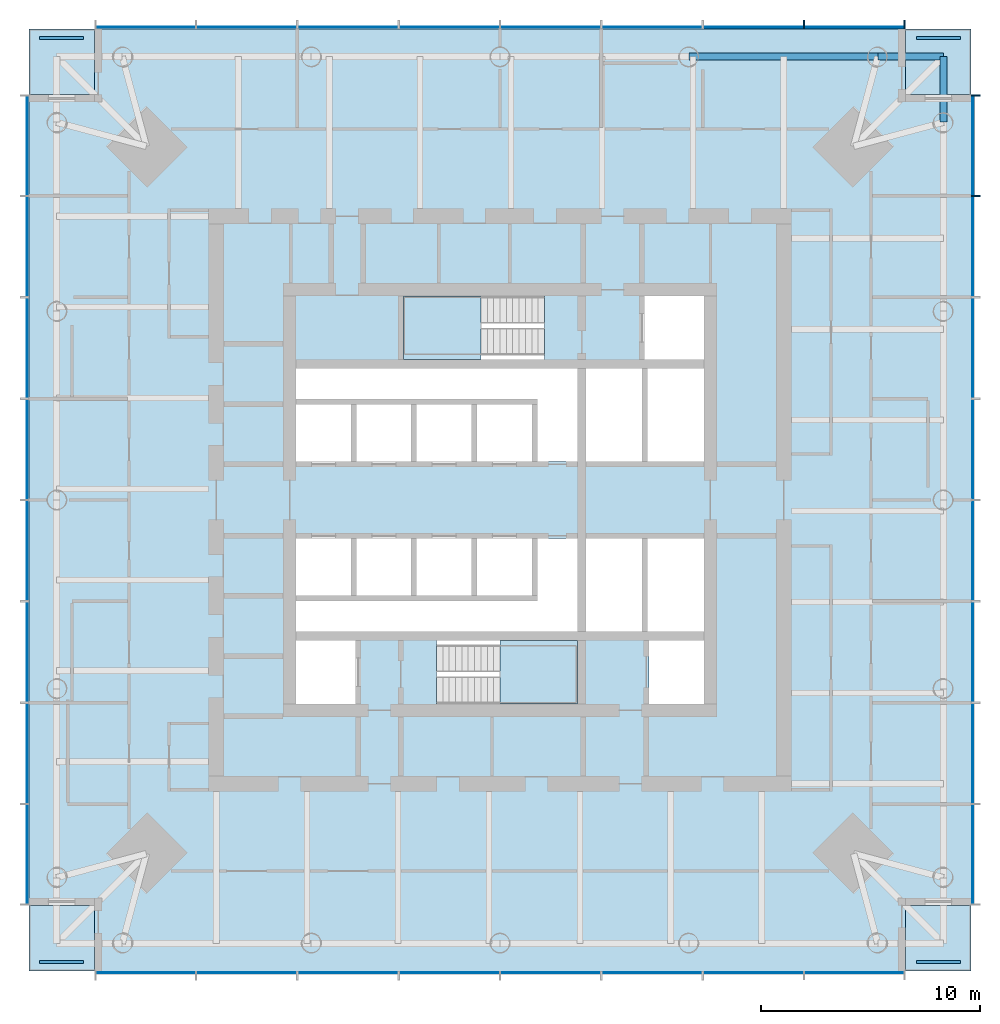
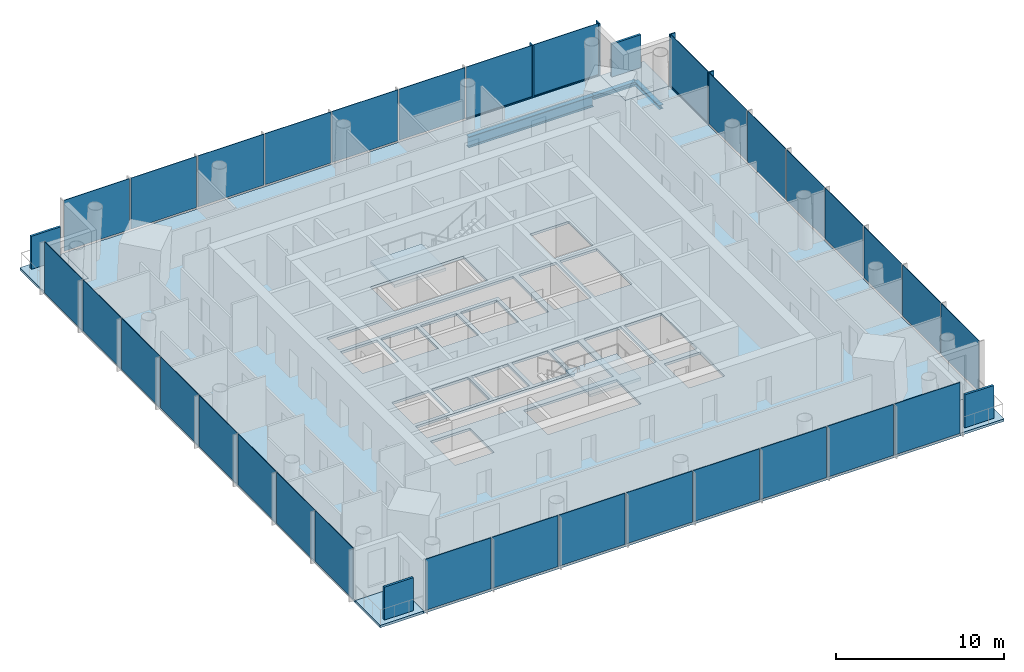
# One storey, part 3 of 9: 36 plates, 7 members, 7 slabs, 3 beams, 6 elements without a shape of their own.
"""IFC4 building model written with IfcOpenShell, lengths in metres."""

import ifcopenshell
import ifcopenshell.guid

model = None  # the IFC model being written
_history = None  # IfcOwnerHistory: only IFC2X3 demands one
_inside = {}  # id of a spatial element -> (the spatial element, [elements in it])
_under = {}  # id of a project, library or spatial element -> (it, [spatial elements below it])
_declared = {}  # id of a project -> (the project, [libraries it declares])
_typed = {}  # id of a type object -> (the type object, [elements of that type])
_made_of = {}  # id of a material, layer set ... -> (it, [elements and type objects made of it])


def new_model(schema):
    """Start an empty IFC model of exactly this schema.

    Asked for "IFC4X3", IfcOpenShell would pick the latest addendum, in which some entities
    have other attributes; the version numbers below select the first issue.
    IFC2X3 requires an IfcOwnerHistory on every rooted entity: one is made here for all.
    """
    global model, _history
    if schema == "IFC4X3":
        model = ifcopenshell.file(schema_version=(4, 3, 0, 0))
    else:
        model = ifcopenshell.file(schema=schema)
    _inside.clear()
    _under.clear()
    _declared.clear()
    _typed.clear()
    _made_of.clear()
    _history = None
    if model.schema == "IFC2X3":
        org = make("IfcOrganization", Name="unknown")
        user = make(
            "IfcPersonAndOrganization",
            ThePerson=make("IfcPerson", FamilyName="unknown"),
            TheOrganization=org,
        )
        app = make(
            "IfcApplication",
            ApplicationDeveloper=org,
            Version="unknown",
            ApplicationFullName="unknown",
            ApplicationIdentifier="unknown",
        )
        _history = make(
            "IfcOwnerHistory",
            OwningUser=user,
            OwningApplication=app,
            ChangeAction="ADDED",
            CreationDate=0,
        )
    return model


def make(cls, **values):
    """One entity of the class cls with the attributes given. An attribute that is None is left unset."""
    return model.create_entity(
        cls, **{name: value for name, value in values.items() if value is not None}
    )


def rooted(cls, **values):
    """An entity with a GlobalId (a new one), such as an element, a storey or a relation."""
    return make(cls, GlobalId=ifcopenshell.guid.new(), OwnerHistory=_history, **values)


def si_unit(unit_type, name, prefix=None):
    """IfcSIUnit, for example si_unit("LENGTHUNIT", "METRE", prefix="MILLI")."""
    return make("IfcSIUnit", UnitType=unit_type, Prefix=prefix, Name=name)


def assignment(units):
    """IfcUnitAssignment: the units of a project."""
    return None if units is None else make("IfcUnitAssignment", Units=units)


def point(xyz):
    """IfcCartesianPoint."""
    return None if xyz is None else make("IfcCartesianPoint", Coordinates=xyz)


def direction(xyz):
    """IfcDirection."""
    return None if xyz is None else make("IfcDirection", DirectionRatios=xyz)


def frame(location, z_axis=None, x_axis=None):
    """IfcAxis2Placement3D, a coordinate frame: its origin and axes. An axis left out is left unset."""
    return make(
        "IfcAxis2Placement3D",
        Location=point(location),
        Axis=direction(z_axis),
        RefDirection=direction(x_axis),
    )


def frame_2d(location, x_axis=None):
    """IfcAxis2Placement2D, a coordinate frame in the plane: its origin and x axis."""
    return make(
        "IfcAxis2Placement2D", Location=point(location), RefDirection=direction(x_axis)
    )


def origin():
    """The frame at (0, 0, 0) with its axes left unset."""
    return frame((0.0, 0.0, 0.0))


def origin_2d():
    """The frame at (0, 0) in the plane with its x axis left unset."""
    return frame_2d((0.0, 0.0))


def place(relative_to, where):
    """IfcLocalPlacement: puts the frame where relative to a parent placement (None: the world)."""
    return make(
        "IfcLocalPlacement", PlacementRelTo=relative_to, RelativePlacement=where
    )


def context(
    kind, dimensions, precision=None, world=None, true_north=None, identifier=None
):
    """IfcGeometricRepresentationContext, for example the 3D "Model" context."""
    return make(
        "IfcGeometricRepresentationContext",
        ContextIdentifier=identifier,
        ContextType=kind,
        CoordinateSpaceDimension=dimensions,
        Precision=precision,
        WorldCoordinateSystem=world,
        TrueNorth=true_north,
    )


def subcontext(parent, identifier, kind, view, scale=None):
    """IfcGeometricRepresentationSubContext, for example "Body" below "Model"."""
    return make(
        "IfcGeometricRepresentationSubContext",
        ContextIdentifier=identifier,
        ContextType=kind,
        ParentContext=parent,
        TargetScale=scale,
        TargetView=view,
    )


def project(units=None, contexts=None):
    """IfcProject with its units and contexts."""
    return rooted(
        "IfcProject",
        Name="project",
        RepresentationContexts=contexts,
        UnitsInContext=assignment(units),
    )


def spatial(cls, under=None, at=None, **own):
    """A site, building, storey or space (cls), placed at a placement, below another one or the project."""
    s = rooted(cls, ObjectPlacement=at, **own)
    if under is not None:
        _under.setdefault(under.id(), (under, []))[1].append(s)
    return s


def polyline(points):
    """IfcPolyline through the points."""
    return make("IfcPolyline", Points=[point(p) for p in points])


def profile(cls, at=None, kind="AREA", **sizes):
    """A parametric profile (cls). Its sizes go by their IFC names, for example OverallWidth=200.0."""
    return make(cls, ProfileType=kind, Position=at, **sizes)


def rectangle(**sizes):
    """IfcRectangleProfileDef."""
    return profile("IfcRectangleProfileDef", **sizes)


def i_section(**sizes):
    """IfcIShapeProfileDef."""
    return profile("IfcIShapeProfileDef", **sizes)


def outline(outer, holes=None, kind="AREA"):
    """IfcArbitraryClosedProfileDef: a profile drawn as a closed curve; with holes, ...WithVoids."""
    if holes is None:
        return make("IfcArbitraryClosedProfileDef", ProfileType=kind, OuterCurve=outer)
    return make(
        "IfcArbitraryProfileDefWithVoids",
        ProfileType=kind,
        OuterCurve=outer,
        InnerCurves=holes,
    )


def extrude(swept, where, along, depth):
    """IfcExtrudedAreaSolid: the profile swept, set in the frame where, extruded along a direction by depth."""
    return make(
        "IfcExtrudedAreaSolid",
        SweptArea=swept,
        Position=where,
        ExtrudedDirection=direction(along),
        Depth=depth,
    )


def shape(context_of_items, identifier, shape_type, items):
    """IfcShapeRepresentation: the items that make up one representation, for example the "Body"."""
    return make(
        "IfcShapeRepresentation",
        ContextOfItems=context_of_items,
        RepresentationIdentifier=identifier,
        RepresentationType=shape_type,
        Items=items,
    )


def material(Name=None, Category=None):
    """IfcMaterial."""
    return make("IfcMaterial", Name=Name, Category=Category)


def layer(
    of_material, thickness, ventilated=None, Name=None, Category=None, Priority=None
):
    """IfcMaterialLayer: one layer of a wall or slab, of a material (None: an air gap)."""
    return make(
        "IfcMaterialLayer",
        Material=of_material,
        LayerThickness=thickness,
        IsVentilated=ventilated,
        Name=Name,
        Category=Category,
        Priority=Priority,
    )


def layer_set(layers, Name=None):
    """IfcMaterialLayerSet."""
    return make("IfcMaterialLayerSet", MaterialLayers=layers, LayerSetName=Name)


def material_profile(
    of_material, cross_section, Name=None, Category=None, Priority=None
):
    """IfcMaterialProfile: a cross section and its material."""
    return make(
        "IfcMaterialProfile",
        Name=Name,
        Material=of_material,
        Profile=cross_section,
        Priority=Priority,
        Category=Category,
    )


def profile_set(profiles, Name=None, composite=None):
    """IfcMaterialProfileSet."""
    return make(
        "IfcMaterialProfileSet",
        Name=Name,
        MaterialProfiles=profiles,
        CompositeProfile=composite,
    )


def made_of(thing, what):
    """Note that an element or type object is made of a material, layer set ...; save() writes the relation."""
    if what is not None:
        _made_of.setdefault(what.id(), (what, []))[1].append(thing)
    return thing


def type_object(cls, material=None, **own):
    """A type object (cls), such as IfcWallType, which elements share."""
    return made_of(rooted(cls, **own), material)


def element(
    cls,
    number,
    at=None,
    inside=None,
    cuts=None,
    type_object=None,
    material=None,
    context=None,
    identifier="Body",
    shape_type=None,
    held_by="IfcProductDefinitionShape",
    body=None,
    shapes=None,
    **own,
):
    """One element of the class cls, such as IfcWall. Its Tag is "e" and its number.

    at: its placement. inside: the storey or other place that contains it. cuts: it is an
    opening in that element (IfcRelVoidsElement). A single representation is given by context,
    identifier, shape_type and body (its items); several are given by shapes. held_by: the class
    of the entity that holds the representations. save() writes the other relations.
    """
    e = rooted(cls, Tag="e%d" % number, ObjectPlacement=at, **own)
    if body is not None:
        shapes = [shape(context, identifier, shape_type, body)]
    if shapes is not None:
        e.Representation = make(held_by, Representations=shapes)
    if inside is not None:
        _inside.setdefault(inside.id(), (inside, []))[1].append(e)
    if cuts is not None:
        rooted(
            "IfcRelVoidsElement", RelatingBuildingElement=cuts, RelatedOpeningElement=e
        )
    if type_object is not None:
        _typed.setdefault(type_object.id(), (type_object, []))[1].append(e)
    return made_of(e, material)


def aggregate(whole, parts):
    """IfcRelAggregates: a whole, such as a stair, and the parts it consists of."""
    return rooted("IfcRelAggregates", RelatingObject=whole, RelatedObjects=parts)


def save(model, path):
    """Write the relations noted so far, then the file.

    IfcRelAggregates (storeys below a building ...), IfcRelContainedInSpatialStructure (elements
    in a storey), IfcRelDefinesByType, IfcRelAssociatesMaterial and IfcRelDeclares: one each for
    every whole, place, type object, material and project.
    """
    for whole, parts in _under.values():
        aggregate(whole, parts)
    for where, things in _inside.values():
        rooted(
            "IfcRelContainedInSpatialStructure",
            RelatedElements=things,
            RelatingStructure=where,
        )
    for kind, things in _typed.values():
        rooted("IfcRelDefinesByType", RelatedObjects=things, RelatingType=kind)
    for what, things in _made_of.values():
        rooted("IfcRelAssociatesMaterial", RelatedObjects=things, RelatingMaterial=what)
    for by, libraries in _declared.values():
        rooted("IfcRelDeclares", RelatingContext=by, RelatedDefinitions=libraries)
    model.write(path)


model = new_model("IFC4")

# Units and contexts
model_context = context("Model", 3, precision=1e-05, world=origin(), true_north=direction((0.0, 1.0)))
body_context = subcontext(model_context, "Body", "Model", "MODEL_VIEW")
ifc_project = project(units=[si_unit("LENGTHUNIT", "METRE"), si_unit("AREAUNIT", "SQUARE_METRE"), si_unit("VOLUMEUNIT", "CUBIC_METRE"), si_unit("PLANEANGLEUNIT", "RADIAN"), si_unit("MASSUNIT", "GRAM", prefix="KILO")], contexts=[model_context])

# Site, building, storey
site_placement = place(None, origin())
site = spatial("IfcSite", under=ifc_project, at=site_placement, CompositionType="ELEMENT")
building_placement = place(site_placement, origin())
building = spatial("IfcBuilding", under=site, at=building_placement, Name="Ostroluk Exchange", CompositionType="ELEMENT")
storey_placement = place(building_placement, frame((0.0, 0.0, 138.800048828125)))
storey = spatial("IfcBuildingStorey", under=building, at=storey_placement, Name="L35", CompositionType="ELEMENT", Elevation=138.800048828125)

# Beams
ifc_material_1 = material(Name="Steel S355", Category="steel")
ifc_material_profile_1 = material_profile(ifc_material_1, i_section(OverallWidth=0.300048828125, OverallDepth=0.300048828125, WebThickness=0.010986328125, FlangeThickness=0.01904296875, FilletRadius=0.027099609375, at=origin_2d()), Name="HEB 300")
ifc_profile_set_1 = profile_set([ifc_material_profile_1], Name="Steel S355")
beam_type_1 = type_object("IfcBeamType", Name="Balcony beam HEB 300", PredefinedType="BEAM", material=ifc_profile_set_1)
for number, where, z_axis, x_axis, name in (
    (1, (65.235595703125, 63.235595703125, -0.330078125), (0.0, 1.0, 0.0), (-1.0, 0.0, 0.0), "T1 east balcony beam a"),
    (2, (62.235595703125, 66.235595703125, -0.330078125), (1.0, 0.0, 0.0), (0.0, 1.0, 0.0), "T1 east balcony beam b"),
):
    element("IfcBeam", number, at=place(storey_placement, frame(where, z_axis=z_axis, x_axis=x_axis)), inside=storey, type_object=beam_type_1, Name=name, PredefinedType="BEAM", context=body_context, shape_type="SweptSolid", body=[
        extrude(i_section(OverallWidth=0.300048828125, OverallDepth=0.300048828125, WebThickness=0.010986328125, FlangeThickness=0.01904296875, FilletRadius=0.027099609375, at=origin_2d()), origin(), (0.0, 0.0, 1.0), 3.0),
    ])
ifc_material_2 = material(Name="Steel S355", Category="steel")
ifc_material_profile_2 = material_profile(ifc_material_2, i_section(OverallWidth=0.300048828125, OverallDepth=0.800048828125, WebThickness=0.017578125, FlangeThickness=0.032958984375, FilletRadius=0.030029296875, at=origin_2d()), Name="HEB 800")
ifc_profile_set_2 = profile_set([ifc_material_profile_2], Name="Steel S355")
beam_type_2 = type_object("IfcBeamType", Name="Moment-connected edge beam HEB 800", PredefinedType="SPANDREL", material=ifc_profile_set_2)
beam_placement = place(storey_placement, frame((62.235595703125, 66.235595703125, -0.580078125), z_axis=(-1.0, 0.0, 0.0), x_axis=(0.0, -1.0, 0.0)))
element("IfcBeam", 3, at=beam_placement, inside=storey, type_object=beam_type_2, Name="T1 north edge beam 1", PredefinedType="SPANDREL", context=body_context, shape_type="SweptSolid", body=[
    extrude(i_section(OverallWidth=0.300048828125, OverallDepth=0.800048828125, WebThickness=0.017578125, FlangeThickness=0.032958984375, FilletRadius=0.030029296875, at=origin_2d()), origin(), (0.0, 0.0, 1.0), 8.61767578125),
])

# Curtain wall, member
ifc_material_3 = material(Name="Laminated clear glass", Category="glass")
curtain_wall_type = type_object("IfcCurtainWallType", Name="Office tower facade", PredefinedType="USERDEFINED", material=ifc_material_3)
curtain_wall_1_placement = place(storey_placement, origin())
curtain_wall_1 = element("IfcCurtainWall", 4, at=curtain_wall_1_placement, inside=storey, type_object=curtain_wall_type, Name="Office tower east facade L35", ObjectType="UNITISED CURTAIN WALL", PredefinedType="USERDEFINED")
ifc_material_4 = material(Name="Aluminium mullion", Category="aluminium")
ifc_material_profile_3 = material_profile(ifc_material_4, rectangle(XDim=0.14990234375, YDim=0.080078125, at=origin_2d()), Name="Sill transom 80 x 150")
ifc_profile_set_3 = profile_set([ifc_material_profile_3], Name="Aluminium mullion")
member_type_1 = type_object("IfcMemberType", Name="Sill transom 80 x 150", PredefinedType="USERDEFINED", material=ifc_profile_set_3)
member_1_placement = place(storey_placement, frame((66.574951171875, 59.9150390625, 0.0400390625), z_axis=(0.0, 1.0, 0.0), x_axis=(-1.0, 0.0, 0.0)))
member_1 = element("IfcMember", 5, at=member_1_placement, type_object=member_type_1, Name="CW-O1 transom 8.1", ObjectType="TRANSOM", PredefinedType="USERDEFINED", context=body_context, shape_type="SweptSolid", body=[
    extrude(rectangle(XDim=0.14990234375, YDim=0.080078125, at=origin_2d()), origin(), (0.0, 0.0, 1.0), 4.5048828125),
])

# Curtain wall, members
curtain_wall_2_placement = place(storey_placement, origin())
curtain_wall_2 = element("IfcCurtainWall", 6, at=curtain_wall_2_placement, inside=storey, type_object=curtain_wall_type, Name="Office tower north facade L35", ObjectType="UNITISED CURTAIN WALL", PredefinedType="USERDEFINED")
member_2_placement = place(storey_placement, frame((63.419921875, 67.574951171875, 0.0400390625), z_axis=(-1.0, 0.0, 0.0), x_axis=(0.0, -1.0, 0.0)))
member_2 = element("IfcMember", 7, at=member_2_placement, type_object=member_type_1, Name="CW-O1 transom 1.1", ObjectType="TRANSOM", PredefinedType="USERDEFINED", context=body_context, shape_type="SweptSolid", body=[
    extrude(rectangle(XDim=0.14990234375, YDim=0.080078125, at=origin_2d()), origin(), (0.0, 0.0, 1.0), 4.5048828125),
])
member_3_placement = place(storey_placement, frame((58.8349609375, 67.574951171875, 0.0400390625), z_axis=(-1.0, 0.0, 0.0), x_axis=(0.0, -1.0, 0.0)))
member_3 = element("IfcMember", 8, at=member_3_placement, type_object=member_type_1, Name="CW-O1 transom 2.1", ObjectType="TRANSOM", PredefinedType="USERDEFINED", context=body_context, shape_type="SweptSolid", body=[
    extrude(rectangle(XDim=0.14990234375, YDim=0.080078125, at=origin_2d()), origin(), (0.0, 0.0, 1.0), 4.544921875),
])

# Member
ifc_material_5 = material(Name="Aluminium mullion with limestone facing", Category="masonry")
ifc_material_profile_4 = material_profile(ifc_material_5, rectangle(XDim=0.39990234375, YDim=0.080078125, at=origin_2d()), Name="Tracery mullion 80 x 400")
ifc_profile_set_4 = profile_set([ifc_material_profile_4], Name="Aluminium mullion with limestone facing")
member_type_2 = type_object("IfcMemberType", Name="Tracery mullion 80 x 400", PredefinedType="MULLION", material=ifc_profile_set_4)
member_4_placement = place(storey_placement, frame((66.699951171875, 59.875, 0.0), z_axis=(0.0, 0.0, 1.0), x_axis=(-1.0, 0.0, 0.0)))
member_4 = element("IfcMember", 9, at=member_4_placement, type_object=member_type_2, Name="CW-O1 mullion 8", PredefinedType="MULLION", context=body_context, shape_type="SweptSolid", body=[
    extrude(rectangle(XDim=0.39990234375, YDim=0.080078125, at=origin_2d()), origin(), (0.0, 0.0, 1.0), 3.800048828125),
])

member_5_placement = place(storey_placement, frame((66.699951171875, 64.4599609375, 0.0), z_axis=(0.0, 0.0, 1.0), x_axis=(-1.0, 0.0, 0.0)))
member_5 = element("IfcMember", 10, at=member_5_placement, type_object=member_type_2, Name="CW-O1 mullion 9", PredefinedType="MULLION", context=body_context, shape_type="SweptSolid", body=[
    extrude(rectangle(XDim=0.39990234375, YDim=0.080078125, at=origin_2d()), origin(), (0.0, 0.0, 1.0), 3.800048828125),
])

member_6_placement = place(storey_placement, frame((63.4599609375, 67.699951171875, 0.0), z_axis=(0.0, 0.0, 1.0), x_axis=(0.0, -1.0, 0.0)))
member_6 = element("IfcMember", 11, at=member_6_placement, type_object=member_type_2, Name="CW-O1 mullion 1", PredefinedType="MULLION", context=body_context, shape_type="SweptSolid", body=[
    extrude(rectangle(XDim=0.39990234375, YDim=0.080078125, at=origin_2d()), origin(), (0.0, 0.0, 1.0), 3.800048828125),
])

member_7_placement = place(storey_placement, frame((58.875, 67.699951171875, 0.0), z_axis=(0.0, 0.0, 1.0), x_axis=(0.0, -1.0, 0.0)))
member_7 = element("IfcMember", 12, at=member_7_placement, type_object=member_type_2, Name="CW-O1 mullion 2", PredefinedType="MULLION", context=body_context, shape_type="SweptSolid", body=[
    extrude(rectangle(XDim=0.39990234375, YDim=0.080078125, at=origin_2d()), origin(), (0.0, 0.0, 1.0), 3.800048828125),
])

# Slabs
ifc_material_6 = material(Name="Concrete C35/45", Category="concrete")
ifc_layer_1 = layer(ifc_material_6, 0.179931640625)
ifc_layer_set_1 = layer_set([ifc_layer_1], Name="Balcony slab 180")
slab_type_1 = type_object("IfcSlabType", Name="Balcony slab 180", PredefinedType="USERDEFINED", material=ifc_layer_set_1)
slab_1_placement = place(storey_placement, frame((0.0, 0.0, -0.179931640625)))
element("IfcSlab", 13, at=slab_1_placement, inside=storey, type_object=slab_type_1, Name="Office tower SE corner balcony L35", ObjectType="BALCONY", PredefinedType="USERDEFINED", context=body_context, shape_type="SweptSolid", body=[
    extrude(outline(polyline([(63.5, 24.5), (66.5, 24.5), (66.5, 27.5), (63.5, 27.5), (63.5, 24.5)])), origin(), (0.0, 0.0, 1.0), 0.179931640625),
])
slab_2_placement = place(storey_placement, frame((0.0, 0.0, -0.179931640625)))
element("IfcSlab", 14, at=slab_2_placement, inside=storey, type_object=slab_type_1, Name="Office tower NE corner balcony L35", ObjectType="BALCONY", PredefinedType="USERDEFINED", context=body_context, shape_type="SweptSolid", body=[
    extrude(outline(polyline([(63.5, 64.5), (66.5, 64.5), (66.5, 67.5), (63.5, 67.5), (63.5, 64.5)])), origin(), (0.0, 0.0, 1.0), 0.179931640625),
])
slab_3_placement = place(storey_placement, frame((0.0, 0.0, -0.179931640625)))
element("IfcSlab", 15, at=slab_3_placement, inside=storey, type_object=slab_type_1, Name="Office tower NW corner balcony L35", ObjectType="BALCONY", PredefinedType="USERDEFINED", context=body_context, shape_type="SweptSolid", body=[
    extrude(outline(polyline([(23.5, 64.5), (26.5, 64.5), (26.5, 67.5), (23.5, 67.5), (23.5, 64.5)])), origin(), (0.0, 0.0, 1.0), 0.179931640625),
])
slab_4_placement = place(storey_placement, frame((0.0, 0.0, -0.179931640625)))
element("IfcSlab", 16, at=slab_4_placement, inside=storey, type_object=slab_type_1, Name="Office tower SW corner balcony L35", ObjectType="BALCONY", PredefinedType="USERDEFINED", context=body_context, shape_type="SweptSolid", body=[
    extrude(outline(polyline([(23.5, 24.5), (26.5, 24.5), (26.5, 27.5), (23.5, 27.5), (23.5, 24.5)])), origin(), (0.0, 0.0, 1.0), 0.179931640625),
])

# Plates
ifc_material_7 = material(Name="Steel S355 trellis with planting", Category="steel")
ifc_layer_2 = layer(ifc_material_7, 0.14990234375)
ifc_layer_set_2 = layer_set([ifc_layer_2], Name="Planted screen 150")
plate_type_1 = type_object("IfcPlateType", Name="Planted screen 150", PredefinedType="USERDEFINED", material=ifc_layer_set_2)
for number, where, z_axis, x_axis, name in (
    (17, (65.0, 24.925048828125, 0.0), (0.0, 0.0, 1.0), (1.0, 0.0, 0.0), "Office tower SE planted screen L35"),
    (18, (65.0, 67.074951171875, 0.0), (0.0, 0.0, 1.0), (1.0, 0.0, 0.0), "Office tower NE planted screen L35"),
    (19, (25.0, 67.074951171875, 0.0), (0.0, 0.0, 1.0), (1.0, 0.0, 0.0), "Office tower NW planted screen L35"),
    (20, (25.0, 24.925048828125, 0.0), (0.0, 0.0, 1.0), (1.0, 0.0, 0.0), "Office tower SW planted screen L35"),
):
    element("IfcPlate", number, at=place(storey_placement, frame(where, z_axis=z_axis, x_axis=x_axis)), inside=storey, type_object=plate_type_1, Name=name, ObjectType="PLANTED SCREEN", PredefinedType="USERDEFINED", context=body_context, shape_type="SweptSolid", body=[
        extrude(rectangle(XDim=2.0, YDim=0.14990234375, at=origin_2d()), origin(), (0.0, 0.0, 1.0), 2.39990234375),
    ])

# Stair, slab
ifc_material_8 = material(Name="Concrete C30/37", Category="concrete")
stair_type = type_object("IfcStairType", Name="Exit stair half turn 3800", PredefinedType="HALF_TURN_STAIR", material=ifc_material_8)
stair_1_placement = place(storey_placement, origin())
stair_1 = element("IfcStair", 21, at=stair_1_placement, inside=storey, type_object=stair_type, Name="Stair T1-S1 L35", PredefinedType="HALF_TURN_STAIR")
ifc_material_9 = material(Name="Concrete C30/37", Category="concrete")
ifc_layer_3 = layer(ifc_material_9, 0.199951171875)
ifc_layer_set_3 = layer_set([ifc_layer_3], Name="Stair landing 200")
slab_type_2 = type_object("IfcSlabType", Name="Stair landing 200", PredefinedType="LANDING", material=ifc_layer_set_3)
slab_5_placement = place(storey_placement, frame((0.0, 0.0, 1.699951171875)))
slab_5 = element("IfcSlab", 22, at=slab_5_placement, type_object=slab_type_2, Name="T1-S1 landing 1", PredefinedType="LANDING", context=body_context, shape_type="SweptSolid", body=[
    extrude(outline(polyline([(45.0, 36.699951171875), (45.0, 39.60009765625), (48.530029296875, 39.60009765625), (48.530029296875, 36.699951171875), (45.0, 36.699951171875)])), origin(), (0.0, 0.0, 1.0), 0.199951171875),
])
aggregate(stair_1, [slab_5])

stair_2_placement = place(storey_placement, origin())
stair_2 = element("IfcStair", 23, at=stair_2_placement, inside=storey, type_object=stair_type, Name="Stair T1-S2 L35", PredefinedType="HALF_TURN_STAIR")
slab_6_placement = place(storey_placement, frame((0.0, 0.0, 1.699951171875)))
slab_6 = element("IfcSlab", 24, at=slab_6_placement, type_object=slab_type_2, Name="T1-S2 landing 1", PredefinedType="LANDING", context=body_context, shape_type="SweptSolid", body=[
    extrude(outline(polyline([(44.1298828125, 52.39990234375), (44.1298828125, 55.300048828125), (40.60009765625, 55.300048828125), (40.60009765625, 52.39990234375), (44.1298828125, 52.39990234375)])), origin(), (0.0, 0.0, 1.0), 0.199951171875),
])
aggregate(stair_2, [slab_6])

# Slab
ifc_material_10 = material(Name="Concrete C35/45", Category="concrete")
ifc_layer_4 = layer(ifc_material_10, 0.179931640625)
ifc_layer_set_4 = layer_set([ifc_layer_4], Name="Tower floor slab 180 composite")
slab_type_3 = type_object("IfcSlabType", Name="Tower floor slab 180 composite", PredefinedType="FLOOR", material=ifc_layer_set_4)
slab_7_placement = place(storey_placement, frame((0.0, 0.0, -0.179931640625)))
element("IfcSlab", 25, at=slab_7_placement, inside=storey, type_object=slab_type_3, Name="Office tower floor slab L35", PredefinedType="FLOOR", context=body_context, shape_type="SweptSolid", body=[
    extrude(outline(polyline([(26.5, 24.5), (63.5, 24.5), (63.5, 27.5), (66.5, 27.5), (66.5, 64.5), (63.5, 64.5), (63.5, 67.5), (26.5, 67.5), (26.5, 64.5), (23.5, 64.5), (23.5, 27.5), (26.5, 27.5), (26.5, 24.5)]), holes=[polyline([(35.699951171875, 36.699951171875), (38.39990234375, 36.699951171875), (38.39990234375, 39.60009765625), (35.699951171875, 39.60009765625), (35.699951171875, 36.699951171875)]), polyline([(42.110107421875, 36.699951171875), (48.530029296875, 36.699951171875), (48.530029296875, 39.60009765625), (42.110107421875, 39.60009765625), (42.110107421875, 36.699951171875)]), polyline([(51.800048828125, 36.699951171875), (54.300048828125, 36.699951171875), (54.300048828125, 39.60009765625), (51.800048828125, 39.60009765625), (51.800048828125, 36.699951171875)]), polyline([(40.60009765625, 52.39990234375), (47.02001953125, 52.39990234375), (47.02001953125, 55.300048828125), (40.60009765625, 55.300048828125), (40.60009765625, 52.39990234375)]), polyline([(51.60009765625, 52.39990234375), (54.300048828125, 52.39990234375), (54.300048828125, 55.300048828125), (51.60009765625, 55.300048828125), (51.60009765625, 52.39990234375)]), polyline([(35.699951171875, 47.75), (38.199951171875, 47.75), (38.199951171875, 50.35009765625), (35.699951171875, 50.35009765625), (35.699951171875, 47.75)]), polyline([(38.449951171875, 47.75), (40.949951171875, 47.75), (40.949951171875, 50.35009765625), (38.449951171875, 50.35009765625), (38.449951171875, 47.75)]), polyline([(41.199951171875, 47.75), (43.699951171875, 47.75), (43.699951171875, 50.35009765625), (41.199951171875, 50.35009765625), (41.199951171875, 47.75)]), polyline([(43.949951171875, 47.75), (46.449951171875, 47.75), (46.449951171875, 50.35009765625), (43.949951171875, 50.35009765625), (43.949951171875, 47.75)]), polyline([(35.699951171875, 41.64990234375), (38.199951171875, 41.64990234375), (38.199951171875, 44.25), (35.699951171875, 44.25), (35.699951171875, 41.64990234375)]), polyline([(38.449951171875, 41.64990234375), (40.949951171875, 41.64990234375), (40.949951171875, 44.25), (38.449951171875, 44.25), (38.449951171875, 41.64990234375)]), polyline([(41.199951171875, 41.64990234375), (43.699951171875, 41.64990234375), (43.699951171875, 44.25), (41.199951171875, 44.25), (41.199951171875, 41.64990234375)]), polyline([(43.949951171875, 41.64990234375), (46.449951171875, 41.64990234375), (46.449951171875, 44.25), (43.949951171875, 44.25), (43.949951171875, 41.64990234375)]), polyline([(48.929931640625, 47.75), (51.489990234375, 47.75), (51.489990234375, 52.0), (48.929931640625, 52.0), (48.929931640625, 47.75)]), polyline([(51.739990234375, 47.75), (54.300048828125, 47.75), (54.300048828125, 52.0), (51.739990234375, 52.0), (51.739990234375, 47.75)]), polyline([(48.929931640625, 40.0), (51.489990234375, 40.0), (51.489990234375, 44.25), (48.929931640625, 44.25), (48.929931640625, 40.0)]), polyline([(51.739990234375, 40.0), (54.300048828125, 40.0), (54.300048828125, 44.25), (51.739990234375, 44.25), (51.739990234375, 40.0)]), polyline([(48.530029296875, 52.0), (48.530029296875, 47.75), (46.699951171875, 47.75), (46.699951171875, 50.60009765625), (35.699951171875, 50.60009765625), (35.699951171875, 52.0), (48.530029296875, 52.0)]), polyline([(35.699951171875, 40.0), (35.699951171875, 41.39990234375), (46.699951171875, 41.39990234375), (46.699951171875, 44.25), (48.530029296875, 44.25), (48.530029296875, 40.0), (35.699951171875, 40.0)])]), origin(), (0.0, 0.0, 1.0), 0.179931640625),
])

# Curtain wall, plates
curtain_wall_3_placement = place(storey_placement, origin())
curtain_wall_3 = element("IfcCurtainWall", 26, at=curtain_wall_3_placement, inside=storey, type_object=curtain_wall_type, Name="Office tower south facade L35", ObjectType="UNITISED CURTAIN WALL", PredefinedType="USERDEFINED")
ifc_material_11 = material(Name="Laminated clear glass", Category="glass")
ifc_layer_5 = layer(ifc_material_11, 0.0439453125)
ifc_layer_set_5 = layer_set([ifc_layer_5], Name="Triple laminated clear glazing 44")
plate_type_2 = type_object("IfcPlateType", Name="Triple laminated clear glazing 44", PredefinedType="CURTAIN_PANEL", material=ifc_layer_set_5)
plate_1_placement = place(storey_placement, frame((28.83251953125, 24.425048828125, 0.080078125), z_axis=(0.0, 0.0, 1.0), x_axis=(1.0, 0.0, 0.0)))
plate_1 = element("IfcPlate", 27, at=plate_1_placement, type_object=plate_type_2, Name="CW-O1 panel 1.1", PredefinedType="CURTAIN_PANEL", context=body_context, shape_type="SweptSolid", body=[
    extrude(rectangle(XDim=4.5048828125, YDim=0.0439453125, at=origin_2d()), origin(), (0.0, 0.0, 1.0), 3.719970703125),
])
plate_2_placement = place(storey_placement, frame((33.4375, 24.425048828125, 0.080078125), z_axis=(0.0, 0.0, 1.0), x_axis=(1.0, 0.0, 0.0)))
plate_2 = element("IfcPlate", 28, at=plate_2_placement, type_object=plate_type_2, Name="CW-O1 panel 2.1", PredefinedType="CURTAIN_PANEL", context=body_context, shape_type="SweptSolid", body=[
    extrude(rectangle(XDim=4.544921875, YDim=0.0439453125, at=origin_2d()), origin(), (0.0, 0.0, 1.0), 3.719970703125),
])
plate_3_placement = place(storey_placement, frame((38.0625, 24.425048828125, 0.080078125), z_axis=(0.0, 0.0, 1.0), x_axis=(1.0, 0.0, 0.0)))
plate_3 = element("IfcPlate", 29, at=plate_3_placement, type_object=plate_type_2, Name="CW-O1 panel 3.1", PredefinedType="CURTAIN_PANEL", context=body_context, shape_type="SweptSolid", body=[
    extrude(rectangle(XDim=4.544921875, YDim=0.0439453125, at=origin_2d()), origin(), (0.0, 0.0, 1.0), 3.719970703125),
])
plate_4_placement = place(storey_placement, frame((42.6875, 24.425048828125, 0.080078125), z_axis=(0.0, 0.0, 1.0), x_axis=(1.0, 0.0, 0.0)))
plate_4 = element("IfcPlate", 30, at=plate_4_placement, type_object=plate_type_2, Name="CW-O1 panel 4.1", PredefinedType="CURTAIN_PANEL", context=body_context, shape_type="SweptSolid", body=[
    extrude(rectangle(XDim=4.544921875, YDim=0.0439453125, at=origin_2d()), origin(), (0.0, 0.0, 1.0), 3.719970703125),
])
plate_5_placement = place(storey_placement, frame((47.3125, 24.425048828125, 0.080078125), z_axis=(0.0, 0.0, 1.0), x_axis=(1.0, 0.0, 0.0)))
plate_5 = element("IfcPlate", 31, at=plate_5_placement, type_object=plate_type_2, Name="CW-O1 panel 5.1", PredefinedType="CURTAIN_PANEL", context=body_context, shape_type="SweptSolid", body=[
    extrude(rectangle(XDim=4.544921875, YDim=0.0439453125, at=origin_2d()), origin(), (0.0, 0.0, 1.0), 3.719970703125),
])
plate_6_placement = place(storey_placement, frame((51.9375, 24.425048828125, 0.080078125), z_axis=(0.0, 0.0, 1.0), x_axis=(1.0, 0.0, 0.0)))
plate_6 = element("IfcPlate", 32, at=plate_6_placement, type_object=plate_type_2, Name="CW-O1 panel 6.1", PredefinedType="CURTAIN_PANEL", context=body_context, shape_type="SweptSolid", body=[
    extrude(rectangle(XDim=4.544921875, YDim=0.0439453125, at=origin_2d()), origin(), (0.0, 0.0, 1.0), 3.719970703125),
])
plate_7_placement = place(storey_placement, frame((56.5625, 24.425048828125, 0.080078125), z_axis=(0.0, 0.0, 1.0), x_axis=(1.0, 0.0, 0.0)))
plate_7 = element("IfcPlate", 33, at=plate_7_placement, type_object=plate_type_2, Name="CW-O1 panel 7.1", PredefinedType="CURTAIN_PANEL", context=body_context, shape_type="SweptSolid", body=[
    extrude(rectangle(XDim=4.544921875, YDim=0.0439453125, at=origin_2d()), origin(), (0.0, 0.0, 1.0), 3.719970703125),
])
plate_8_placement = place(storey_placement, frame((61.16748046875, 24.425048828125, 0.080078125), z_axis=(0.0, 0.0, 1.0), x_axis=(1.0, 0.0, 0.0)))
plate_8 = element("IfcPlate", 34, at=plate_8_placement, type_object=plate_type_2, Name="CW-O1 panel 8.1", PredefinedType="CURTAIN_PANEL", context=body_context, shape_type="SweptSolid", body=[
    extrude(rectangle(XDim=4.5048828125, YDim=0.0439453125, at=origin_2d()), origin(), (0.0, 0.0, 1.0), 3.719970703125),
])
aggregate(curtain_wall_3, [plate_1, plate_2, plate_3, plate_4, plate_5, plate_6, plate_7, plate_8])

# Plate
plate_9_placement = place(storey_placement, frame((66.574951171875, 29.83251953125, 0.080078125), z_axis=(0.0, 0.0, 1.0), x_axis=(0.0, 1.0, 0.0)))
plate_9 = element("IfcPlate", 35, at=plate_9_placement, type_object=plate_type_2, Name="CW-O1 panel 1.1", PredefinedType="CURTAIN_PANEL", context=body_context, shape_type="SweptSolid", body=[
    extrude(rectangle(XDim=4.5048828125, YDim=0.0439453125, at=origin_2d()), origin(), (0.0, 0.0, 1.0), 3.719970703125),
])

plate_10_placement = place(storey_placement, frame((66.574951171875, 34.4375, 0.080078125), z_axis=(0.0, 0.0, 1.0), x_axis=(0.0, 1.0, 0.0)))
plate_10 = element("IfcPlate", 36, at=plate_10_placement, type_object=plate_type_2, Name="CW-O1 panel 2.1", PredefinedType="CURTAIN_PANEL", context=body_context, shape_type="SweptSolid", body=[
    extrude(rectangle(XDim=4.544921875, YDim=0.0439453125, at=origin_2d()), origin(), (0.0, 0.0, 1.0), 3.719970703125),
])

plate_11_placement = place(storey_placement, frame((66.574951171875, 39.0625, 0.080078125), z_axis=(0.0, 0.0, 1.0), x_axis=(0.0, 1.0, 0.0)))
plate_11 = element("IfcPlate", 37, at=plate_11_placement, type_object=plate_type_2, Name="CW-O1 panel 3.1", PredefinedType="CURTAIN_PANEL", context=body_context, shape_type="SweptSolid", body=[
    extrude(rectangle(XDim=4.544921875, YDim=0.0439453125, at=origin_2d()), origin(), (0.0, 0.0, 1.0), 3.719970703125),
])

plate_12_placement = place(storey_placement, frame((66.574951171875, 43.6875, 0.080078125), z_axis=(0.0, 0.0, 1.0), x_axis=(0.0, 1.0, 0.0)))
plate_12 = element("IfcPlate", 38, at=plate_12_placement, type_object=plate_type_2, Name="CW-O1 panel 4.1", PredefinedType="CURTAIN_PANEL", context=body_context, shape_type="SweptSolid", body=[
    extrude(rectangle(XDim=4.544921875, YDim=0.0439453125, at=origin_2d()), origin(), (0.0, 0.0, 1.0), 3.719970703125),
])

plate_13_placement = place(storey_placement, frame((66.574951171875, 48.3125, 0.080078125), z_axis=(0.0, 0.0, 1.0), x_axis=(0.0, 1.0, 0.0)))
plate_13 = element("IfcPlate", 39, at=plate_13_placement, type_object=plate_type_2, Name="CW-O1 panel 5.1", PredefinedType="CURTAIN_PANEL", context=body_context, shape_type="SweptSolid", body=[
    extrude(rectangle(XDim=4.544921875, YDim=0.0439453125, at=origin_2d()), origin(), (0.0, 0.0, 1.0), 3.719970703125),
])

plate_14_placement = place(storey_placement, frame((66.574951171875, 52.9375, 0.080078125), z_axis=(0.0, 0.0, 1.0), x_axis=(0.0, 1.0, 0.0)))
plate_14 = element("IfcPlate", 40, at=plate_14_placement, type_object=plate_type_2, Name="CW-O1 panel 6.1", PredefinedType="CURTAIN_PANEL", context=body_context, shape_type="SweptSolid", body=[
    extrude(rectangle(XDim=4.544921875, YDim=0.0439453125, at=origin_2d()), origin(), (0.0, 0.0, 1.0), 3.719970703125),
])

plate_15_placement = place(storey_placement, frame((66.574951171875, 57.5625, 0.080078125), z_axis=(0.0, 0.0, 1.0), x_axis=(0.0, 1.0, 0.0)))
plate_15 = element("IfcPlate", 41, at=plate_15_placement, type_object=plate_type_2, Name="CW-O1 panel 7.1", PredefinedType="CURTAIN_PANEL", context=body_context, shape_type="SweptSolid", body=[
    extrude(rectangle(XDim=4.544921875, YDim=0.0439453125, at=origin_2d()), origin(), (0.0, 0.0, 1.0), 3.719970703125),
])

plate_16_placement = place(storey_placement, frame((66.574951171875, 62.16748046875, 0.080078125), z_axis=(0.0, 0.0, 1.0), x_axis=(0.0, 1.0, 0.0)))
plate_16 = element("IfcPlate", 42, at=plate_16_placement, type_object=plate_type_2, Name="CW-O1 panel 8.1", PredefinedType="CURTAIN_PANEL", context=body_context, shape_type="SweptSolid", body=[
    extrude(rectangle(XDim=4.5048828125, YDim=0.0439453125, at=origin_2d()), origin(), (0.0, 0.0, 1.0), 3.719970703125),
])

aggregate(curtain_wall_1, [member_4, member_5, plate_9, plate_10, plate_11, plate_12, plate_13, plate_14, plate_15, member_1, plate_16])

plate_17_placement = place(storey_placement, frame((61.16748046875, 67.574951171875, 0.080078125), z_axis=(0.0, 0.0, 1.0), x_axis=(-1.0, 0.0, 0.0)))
plate_17 = element("IfcPlate", 43, at=plate_17_placement, type_object=plate_type_2, Name="CW-O1 panel 1.1", PredefinedType="CURTAIN_PANEL", context=body_context, shape_type="SweptSolid", body=[
    extrude(rectangle(XDim=4.5048828125, YDim=0.0439453125, at=origin_2d()), origin(), (0.0, 0.0, 1.0), 3.719970703125),
])

plate_18_placement = place(storey_placement, frame((56.5625, 67.574951171875, 0.080078125), z_axis=(0.0, 0.0, 1.0), x_axis=(-1.0, 0.0, 0.0)))
plate_18 = element("IfcPlate", 44, at=plate_18_placement, type_object=plate_type_2, Name="CW-O1 panel 2.1", PredefinedType="CURTAIN_PANEL", context=body_context, shape_type="SweptSolid", body=[
    extrude(rectangle(XDim=4.544921875, YDim=0.0439453125, at=origin_2d()), origin(), (0.0, 0.0, 1.0), 3.719970703125),
])

plate_19_placement = place(storey_placement, frame((51.9375, 67.574951171875, 0.080078125), z_axis=(0.0, 0.0, 1.0), x_axis=(-1.0, 0.0, 0.0)))
plate_19 = element("IfcPlate", 45, at=plate_19_placement, type_object=plate_type_2, Name="CW-O1 panel 3.1", PredefinedType="CURTAIN_PANEL", context=body_context, shape_type="SweptSolid", body=[
    extrude(rectangle(XDim=4.544921875, YDim=0.0439453125, at=origin_2d()), origin(), (0.0, 0.0, 1.0), 3.719970703125),
])

plate_20_placement = place(storey_placement, frame((47.3125, 67.574951171875, 0.080078125), z_axis=(0.0, 0.0, 1.0), x_axis=(-1.0, 0.0, 0.0)))
plate_20 = element("IfcPlate", 46, at=plate_20_placement, type_object=plate_type_2, Name="CW-O1 panel 4.1", PredefinedType="CURTAIN_PANEL", context=body_context, shape_type="SweptSolid", body=[
    extrude(rectangle(XDim=4.544921875, YDim=0.0439453125, at=origin_2d()), origin(), (0.0, 0.0, 1.0), 3.719970703125),
])

plate_21_placement = place(storey_placement, frame((42.6875, 67.574951171875, 0.080078125), z_axis=(0.0, 0.0, 1.0), x_axis=(-1.0, 0.0, 0.0)))
plate_21 = element("IfcPlate", 47, at=plate_21_placement, type_object=plate_type_2, Name="CW-O1 panel 5.1", PredefinedType="CURTAIN_PANEL", context=body_context, shape_type="SweptSolid", body=[
    extrude(rectangle(XDim=4.544921875, YDim=0.0439453125, at=origin_2d()), origin(), (0.0, 0.0, 1.0), 3.719970703125),
])

plate_22_placement = place(storey_placement, frame((38.0625, 67.574951171875, 0.080078125), z_axis=(0.0, 0.0, 1.0), x_axis=(-1.0, 0.0, 0.0)))
plate_22 = element("IfcPlate", 48, at=plate_22_placement, type_object=plate_type_2, Name="CW-O1 panel 6.1", PredefinedType="CURTAIN_PANEL", context=body_context, shape_type="SweptSolid", body=[
    extrude(rectangle(XDim=4.544921875, YDim=0.0439453125, at=origin_2d()), origin(), (0.0, 0.0, 1.0), 3.719970703125),
])

plate_23_placement = place(storey_placement, frame((33.4375, 67.574951171875, 0.080078125), z_axis=(0.0, 0.0, 1.0), x_axis=(-1.0, 0.0, 0.0)))
plate_23 = element("IfcPlate", 49, at=plate_23_placement, type_object=plate_type_2, Name="CW-O1 panel 7.1", PredefinedType="CURTAIN_PANEL", context=body_context, shape_type="SweptSolid", body=[
    extrude(rectangle(XDim=4.544921875, YDim=0.0439453125, at=origin_2d()), origin(), (0.0, 0.0, 1.0), 3.719970703125),
])

plate_24_placement = place(storey_placement, frame((28.83251953125, 67.574951171875, 0.080078125), z_axis=(0.0, 0.0, 1.0), x_axis=(-1.0, 0.0, 0.0)))
plate_24 = element("IfcPlate", 50, at=plate_24_placement, type_object=plate_type_2, Name="CW-O1 panel 8.1", PredefinedType="CURTAIN_PANEL", context=body_context, shape_type="SweptSolid", body=[
    extrude(rectangle(XDim=4.5048828125, YDim=0.0439453125, at=origin_2d()), origin(), (0.0, 0.0, 1.0), 3.719970703125),
])

aggregate(curtain_wall_2, [member_6, member_7, member_2, plate_17, member_3, plate_18, plate_19, plate_20, plate_21, plate_22, plate_23, plate_24])

# Curtain wall, plates
curtain_wall_4_placement = place(storey_placement, origin())
curtain_wall_4 = element("IfcCurtainWall", 51, at=curtain_wall_4_placement, inside=storey, type_object=curtain_wall_type, Name="Office tower west facade L35", ObjectType="UNITISED CURTAIN WALL", PredefinedType="USERDEFINED")
plate_25_placement = place(storey_placement, frame((23.425048828125, 62.16748046875, 0.080078125), z_axis=(0.0, 0.0, 1.0), x_axis=(0.0, -1.0, 0.0)))
plate_25 = element("IfcPlate", 52, at=plate_25_placement, type_object=plate_type_2, Name="CW-O1 panel 1.1", PredefinedType="CURTAIN_PANEL", context=body_context, shape_type="SweptSolid", body=[
    extrude(rectangle(XDim=4.5048828125, YDim=0.0439453125, at=origin_2d()), origin(), (0.0, 0.0, 1.0), 3.719970703125),
])
plate_26_placement = place(storey_placement, frame((23.425048828125, 57.5625, 0.080078125), z_axis=(0.0, 0.0, 1.0), x_axis=(0.0, -1.0, 0.0)))
plate_26 = element("IfcPlate", 53, at=plate_26_placement, type_object=plate_type_2, Name="CW-O1 panel 2.1", PredefinedType="CURTAIN_PANEL", context=body_context, shape_type="SweptSolid", body=[
    extrude(rectangle(XDim=4.544921875, YDim=0.0439453125, at=origin_2d()), origin(), (0.0, 0.0, 1.0), 3.719970703125),
])
plate_27_placement = place(storey_placement, frame((23.425048828125, 52.9375, 0.080078125), z_axis=(0.0, 0.0, 1.0), x_axis=(0.0, -1.0, 0.0)))
plate_27 = element("IfcPlate", 54, at=plate_27_placement, type_object=plate_type_2, Name="CW-O1 panel 3.1", PredefinedType="CURTAIN_PANEL", context=body_context, shape_type="SweptSolid", body=[
    extrude(rectangle(XDim=4.544921875, YDim=0.0439453125, at=origin_2d()), origin(), (0.0, 0.0, 1.0), 3.719970703125),
])
plate_28_placement = place(storey_placement, frame((23.425048828125, 48.3125, 0.080078125), z_axis=(0.0, 0.0, 1.0), x_axis=(0.0, -1.0, 0.0)))
plate_28 = element("IfcPlate", 55, at=plate_28_placement, type_object=plate_type_2, Name="CW-O1 panel 4.1", PredefinedType="CURTAIN_PANEL", context=body_context, shape_type="SweptSolid", body=[
    extrude(rectangle(XDim=4.544921875, YDim=0.0439453125, at=origin_2d()), origin(), (0.0, 0.0, 1.0), 3.719970703125),
])
plate_29_placement = place(storey_placement, frame((23.425048828125, 43.6875, 0.080078125), z_axis=(0.0, 0.0, 1.0), x_axis=(0.0, -1.0, 0.0)))
plate_29 = element("IfcPlate", 56, at=plate_29_placement, type_object=plate_type_2, Name="CW-O1 panel 5.1", PredefinedType="CURTAIN_PANEL", context=body_context, shape_type="SweptSolid", body=[
    extrude(rectangle(XDim=4.544921875, YDim=0.0439453125, at=origin_2d()), origin(), (0.0, 0.0, 1.0), 3.719970703125),
])
plate_30_placement = place(storey_placement, frame((23.425048828125, 39.0625, 0.080078125), z_axis=(0.0, 0.0, 1.0), x_axis=(0.0, -1.0, 0.0)))
plate_30 = element("IfcPlate", 57, at=plate_30_placement, type_object=plate_type_2, Name="CW-O1 panel 6.1", PredefinedType="CURTAIN_PANEL", context=body_context, shape_type="SweptSolid", body=[
    extrude(rectangle(XDim=4.544921875, YDim=0.0439453125, at=origin_2d()), origin(), (0.0, 0.0, 1.0), 3.719970703125),
])
plate_31_placement = place(storey_placement, frame((23.425048828125, 34.4375, 0.080078125), z_axis=(0.0, 0.0, 1.0), x_axis=(0.0, -1.0, 0.0)))
plate_31 = element("IfcPlate", 58, at=plate_31_placement, type_object=plate_type_2, Name="CW-O1 panel 7.1", PredefinedType="CURTAIN_PANEL", context=body_context, shape_type="SweptSolid", body=[
    extrude(rectangle(XDim=4.544921875, YDim=0.0439453125, at=origin_2d()), origin(), (0.0, 0.0, 1.0), 3.719970703125),
])
plate_32_placement = place(storey_placement, frame((23.425048828125, 29.83251953125, 0.080078125), z_axis=(0.0, 0.0, 1.0), x_axis=(0.0, -1.0, 0.0)))
plate_32 = element("IfcPlate", 59, at=plate_32_placement, type_object=plate_type_2, Name="CW-O1 panel 8.1", PredefinedType="CURTAIN_PANEL", context=body_context, shape_type="SweptSolid", body=[
    extrude(rectangle(XDim=4.5048828125, YDim=0.0439453125, at=origin_2d()), origin(), (0.0, 0.0, 1.0), 3.719970703125),
])
aggregate(curtain_wall_4, [plate_25, plate_26, plate_27, plate_28, plate_29, plate_30, plate_31, plate_32])

save(model, "model.ifc")
